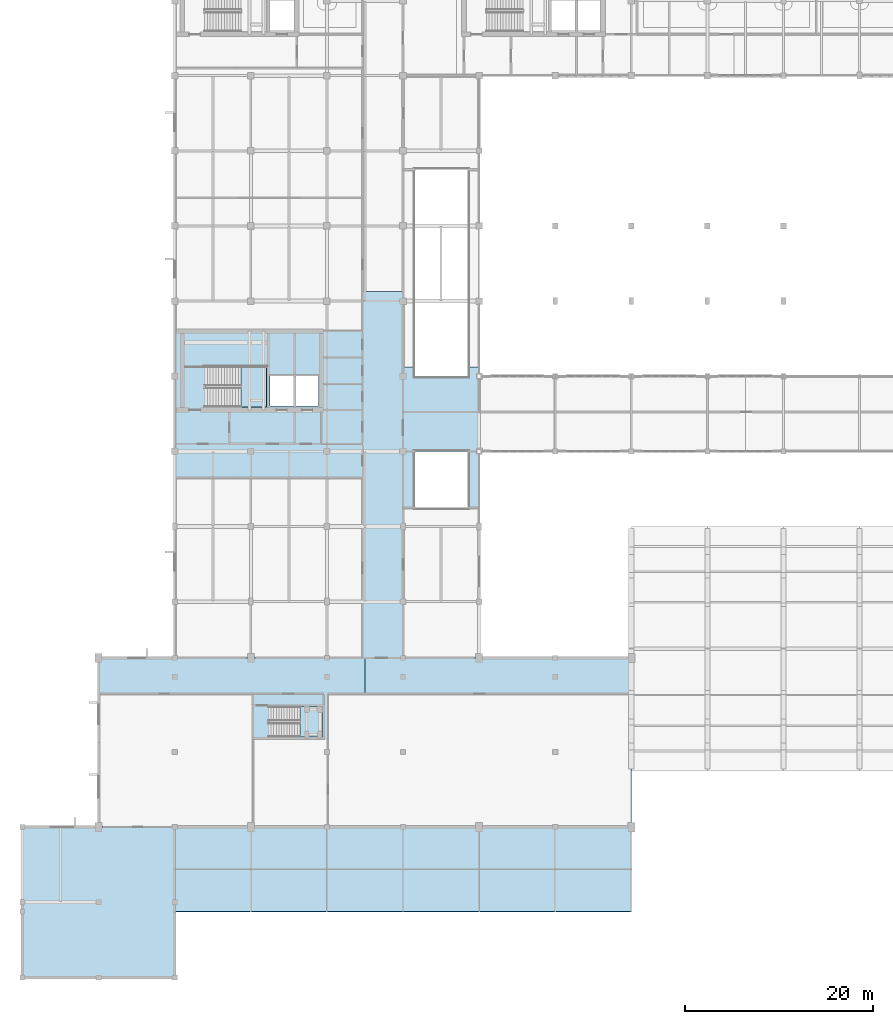
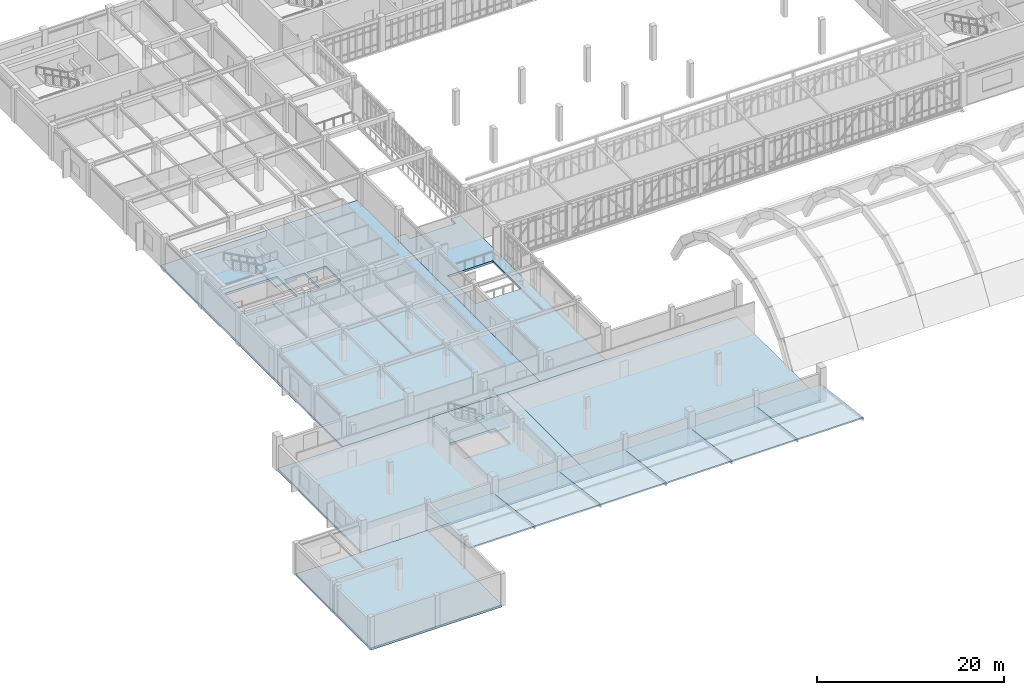
# One storey, part 34 of 67: 13 slabs, 2 elements without a shape of their own.
"""IFC4 building model written with IfcOpenShell, lengths in metres."""

from ifc_helpers import new_model, si_unit, direction, frame, origin, place, context, subcontext, project, spatial, polyline, outline, extrude, material, layer, layer_set, type_object, element, aggregate, save


model = new_model("IFC4")

# Units and contexts
model_context = context("Model", 3, precision=1e-05, world=origin(), true_north=direction((0.0, 1.0)))
body_context = subcontext(model_context, "Body", "Model", "MODEL_VIEW")
ifc_project = project(units=[si_unit("LENGTHUNIT", "METRE"), si_unit("AREAUNIT", "SQUARE_METRE"), si_unit("VOLUMEUNIT", "CUBIC_METRE"), si_unit("PLANEANGLEUNIT", "RADIAN"), si_unit("MASSUNIT", "GRAM", prefix="KILO")], contexts=[model_context])

# Site, building, storey
site_placement = place(None, origin())
site = spatial("IfcSite", under=ifc_project, at=site_placement, CompositionType="ELEMENT")
building_placement = place(site_placement, origin())
building = spatial("IfcBuilding", under=site, at=building_placement, Name="Tarnveldt Square Police Headquarters", CompositionType="ELEMENT")
storey_placement = place(building_placement, frame((0.0, 0.0, 10.199951171875)))
storey = spatial("IfcBuildingStorey", under=building, at=storey_placement, Name="L02", CompositionType="ELEMENT", Elevation=10.199951171875)

# Stair, slab
ifc_material_1 = material(Name="Concrete 40 MPa", Category="concrete")
stair_type_1 = type_object("IfcStairType", Name="STR-HT-48A", PredefinedType="HALF_TURN_STAIR", material=ifc_material_1)
stair_1_placement = place(storey_placement, origin())
stair_1 = element("IfcStair", 1, at=stair_1_placement, inside=storey, type_object=stair_type_1, Name="L02 Core K1 Exit Stair ST1", PredefinedType="HALF_TURN_STAIR")
ifc_layer_1 = layer(ifc_material_1, 0.179931640625)
ifc_layer_set_1 = layer_set([ifc_layer_1], Name="Concrete 40 MPa")
slab_type_1 = type_object("IfcSlabType", Name="SL-LND-180", PredefinedType="LANDING", material=ifc_layer_set_1)
slab_1_placement = place(storey_placement, frame((0.0, 0.0, 2.050048828125)))
slab_1 = element("IfcSlab", 2, at=slab_1_placement, type_object=slab_type_1, Name="ST1 landing 1", PredefinedType="LANDING", context=body_context, shape_type="SweptSolid", body=[
    extrude(outline(polyline([(23.27001953125, 60.719970703125), (25.969970703125, 60.719970703125), (25.969970703125, 65.02001953125), (23.27001953125, 65.02001953125), (23.27001953125, 60.719970703125)])), origin(), (0.0, 0.0, 1.0), 0.199951171875),
])
aggregate(stair_1, [slab_1])

stair_type_2 = type_object("IfcStairType", Name="STR-HT-48C", PredefinedType="HALF_TURN_STAIR", material=ifc_material_1)
stair_2_placement = place(storey_placement, origin())
stair_2 = element("IfcStair", 3, at=stair_2_placement, inside=storey, type_object=stair_type_2, Name="L02 Plinth and Command Lantern Exit Stair ST6", PredefinedType="HALF_TURN_STAIR")
slab_2_placement = place(storey_placement, frame((0.0, 0.0, 2.050048828125)))
slab_2 = element("IfcSlab", 4, at=slab_2_placement, type_object=slab_type_1, Name="ST6 landing 1", PredefinedType="LANDING", context=body_context, shape_type="SweptSolid", body=[
    extrude(outline(polyline([(29.530029296875, 25.580078125), (31.949951171875, 25.580078125), (31.949951171875, 28.820068359375), (29.530029296875, 28.820068359375), (29.530029296875, 25.580078125)])), origin(), (0.0, 0.0, 1.0), 0.199951171875),
])
aggregate(stair_2, [slab_2])

# Slabs
ifc_layer_2 = layer(ifc_material_1, 0.280029296875)
ifc_layer_set_2 = layer_set([ifc_layer_2], Name="Concrete 40 MPa")
slab_type_2 = type_object("IfcSlabType", Name="SL-POD-280", PredefinedType="FLOOR", material=ifc_layer_set_2)
slab_3_placement = place(storey_placement, frame((0.0, 0.0, -0.280029296875)))
element("IfcSlab", 5, at=slab_3_placement, inside=storey, type_object=slab_type_2, Name="L02 Structural Floor Slab L02-V4-SW-1", PredefinedType="FLOOR", context=body_context, shape_type="SweptSolid", body=[
    extrude(outline(polyline([(16.199951171875, 16.0), (16.199951171875, 0.0), (0.0, 0.0), (0.0, 16.0), (16.199951171875, 16.0)])), origin(), (0.0, 0.0, 1.0), 0.280029296875),
])
slab_4_placement = place(storey_placement, frame((0.0, 0.0, -0.280029296875)))
element("IfcSlab", 6, at=slab_4_placement, inside=storey, type_object=slab_type_2, Name="L02 Structural Floor Slab L02-V4-1", PredefinedType="FLOOR", context=body_context, shape_type="SweptSolid", body=[
    extrude(outline(polyline([(16.199951171875, 16.0), (8.10009765625, 16.0), (8.10009765625, 34.0), (36.449951171875, 34.0), (36.449951171875, 16.0), (16.199951171875, 16.0)]), holes=[polyline([(26.31005859375, 25.580078125), (31.949951171875, 25.580078125), (31.949951171875, 28.820068359375), (26.31005859375, 28.820068359375), (26.31005859375, 25.580078125)])]), origin(), (0.0, 0.0, 1.0), 0.280029296875),
])
slab_5_placement = place(storey_placement, frame((0.0, 0.0, -0.280029296875)))
element("IfcSlab", 7, at=slab_5_placement, inside=storey, type_object=slab_type_2, Name="L02 Structural Floor Slab L02-V4-2", PredefinedType="FLOOR", context=body_context, shape_type="SweptSolid", body=[
    extrude(outline(polyline([(64.800048828125, 16.0), (36.449951171875, 16.0), (36.449951171875, 34.0), (64.800048828125, 34.0), (64.800048828125, 16.0)])), origin(), (0.0, 0.0, 1.0), 0.280029296875),
])
slab_6_placement = place(storey_placement, frame((0.0, 0.0, -0.280029296875)))
element("IfcSlab", 8, at=slab_6_placement, inside=storey, type_object=slab_type_2, Name="L02 Structural Floor Slab L02-V5-1", PredefinedType="FLOOR", context=body_context, shape_type="SweptSolid", body=[
    extrude(outline(polyline([(40.5, 34.0), (16.199951171875, 34.0), (16.199951171875, 73.0), (40.5, 73.0), (40.5, 34.0)]), holes=[polyline([(26.330078125, 64.050048828125), (26.330078125, 60.85009765625), (28.8349609375, 60.85009765625), (28.8349609375, 64.050048828125), (26.330078125, 64.050048828125)]), polyline([(29.114990234375, 64.050048828125), (29.114990234375, 60.85009765625), (31.47998046875, 60.85009765625), (31.47998046875, 64.050048828125), (29.114990234375, 64.050048828125)]), polyline([(19.510009765625, 65.02001953125), (19.510009765625, 60.719970703125), (25.969970703125, 60.719970703125), (25.969970703125, 65.02001953125), (19.510009765625, 65.02001953125)])]), origin(), (0.0, 0.0, 1.0), 0.280029296875),
])
slab_7_placement = place(storey_placement, frame((0.0, 0.0, -0.280029296875)))
element("IfcSlab", 9, at=slab_7_placement, inside=storey, type_object=slab_type_2, Name="L02 Structural Floor Slab L02-WG-1", PredefinedType="FLOOR", context=body_context, shape_type="SweptSolid", body=[
    extrude(outline(polyline([(40.5, 65.0), (41.800048828125, 65.0), (41.800048828125, 64.0), (47.39990234375, 64.0), (47.39990234375, 65.0), (48.60009765625, 65.0), (48.60009765625, 34.0), (40.5, 34.0), (40.5, 65.0)]), holes=[polyline([(41.800048828125, 56.0), (41.800048828125, 50.0), (47.39990234375, 50.0), (47.39990234375, 56.0), (41.800048828125, 56.0)])]), origin(), (0.0, 0.0, 1.0), 0.280029296875),
])
ifc_material_2 = material(Name="Precast concrete 35 MPa", Category="concrete")
ifc_layer_3 = layer(ifc_material_2, 0.159912109375)
ifc_layer_set_3 = layer_set([ifc_layer_3], Name="Precast concrete 35 MPa")
slab_type_3 = type_object("IfcSlabType", Name="SL-SOFFIT-160", PredefinedType="ROOF", material=ifc_layer_set_3)
slab_8_placement = place(storey_placement, frame((16.199951171875, 16.0, 2.050048828125), z_axis=(0.0, 0.126736665432, 0.991936397979), x_axis=(1.0, 0.0, 0.0)))
element("IfcSlab", 10, at=slab_8_placement, inside=storey, type_object=slab_type_3, Name="Command Lantern Sloped Cut-Back Soffit Panel 2", PredefinedType="ROOF", context=body_context, shape_type="SweptSolid", body=[
    extrude(outline(polyline([(0.0, 0.0), (8.10009765625, 0.0), (8.10009765625, -9.073162370428612), (0.0, -9.073162370428612), (0.0, 0.0)])), origin(), (0.0, 0.0, -1.0), 0.159912109375),
])
slab_9_placement = place(storey_placement, frame((24.300048828125, 16.0, 2.050048828125), z_axis=(0.0, 0.126736665432, 0.991936397979), x_axis=(1.0, 0.0, 0.0)))
element("IfcSlab", 11, at=slab_9_placement, inside=storey, type_object=slab_type_3, Name="Command Lantern Sloped Cut-Back Soffit Panel 3", PredefinedType="ROOF", context=body_context, shape_type="SweptSolid", body=[
    extrude(outline(polyline([(0.0, 0.0), (8.099853515625, 0.0), (8.099853515625, -9.073162370428612), (0.0, -9.073162370428612), (0.0, 0.0)])), origin(), (0.0, 0.0, -1.0), 0.159912109375),
])
for number, where, z_axis, x_axis, name in (
    (12, (32.39990234375, 16.0, 2.050048828125), (0.0, 0.126736665432, 0.991936397979), (1.0, 0.0, 0.0), "Command Lantern Sloped Cut-Back Soffit Panel 4"),
    (13, (40.5, 16.0, 2.050048828125), (0.0, 0.126736665432, 0.991936397979), (1.0, 0.0, 0.0), "Command Lantern Sloped Cut-Back Soffit Panel 5"),
):
    element("IfcSlab", number, at=place(storey_placement, frame(where, z_axis=z_axis, x_axis=x_axis)), inside=storey, type_object=slab_type_3, Name=name, PredefinedType="ROOF", context=body_context, shape_type="SweptSolid", body=[
        extrude(outline(polyline([(0.0, 0.0), (8.10009765625, 0.0), (8.10009765625, -9.073162370428612), (0.0, -9.073162370428612), (0.0, 0.0)])), origin(), (0.0, 0.0, -1.0), 0.159912109375),
    ])
slab_10_placement = place(storey_placement, frame((48.60009765625, 16.0, 2.050048828125), z_axis=(0.0, 0.126736665432, 0.991936397979), x_axis=(1.0, 0.0, 0.0)))
element("IfcSlab", 14, at=slab_10_placement, inside=storey, type_object=slab_type_3, Name="Command Lantern Sloped Cut-Back Soffit Panel 6", PredefinedType="ROOF", context=body_context, shape_type="SweptSolid", body=[
    extrude(outline(polyline([(0.0, 0.0), (8.099853515625, 0.0), (8.099853515625, -9.073162370428612), (0.0, -9.073162370428612), (0.0, 0.0)])), origin(), (0.0, 0.0, -1.0), 0.159912109375),
])
slab_11_placement = place(storey_placement, frame((56.699951171875, 16.0, 2.050048828125), z_axis=(0.0, 0.126736665432, 0.991936397979), x_axis=(1.0, 0.0, 0.0)))
element("IfcSlab", 15, at=slab_11_placement, inside=storey, type_object=slab_type_3, Name="Command Lantern Sloped Cut-Back Soffit Panel 7", PredefinedType="ROOF", context=body_context, shape_type="SweptSolid", body=[
    extrude(outline(polyline([(0.0, 0.0), (8.10009765625, 0.0), (8.10009765625, -9.073162370428612), (0.0, -9.073162370428612), (0.0, 0.0)])), origin(), (0.0, 0.0, -1.0), 0.159912109375),
])

save(model, "model.ifc")
